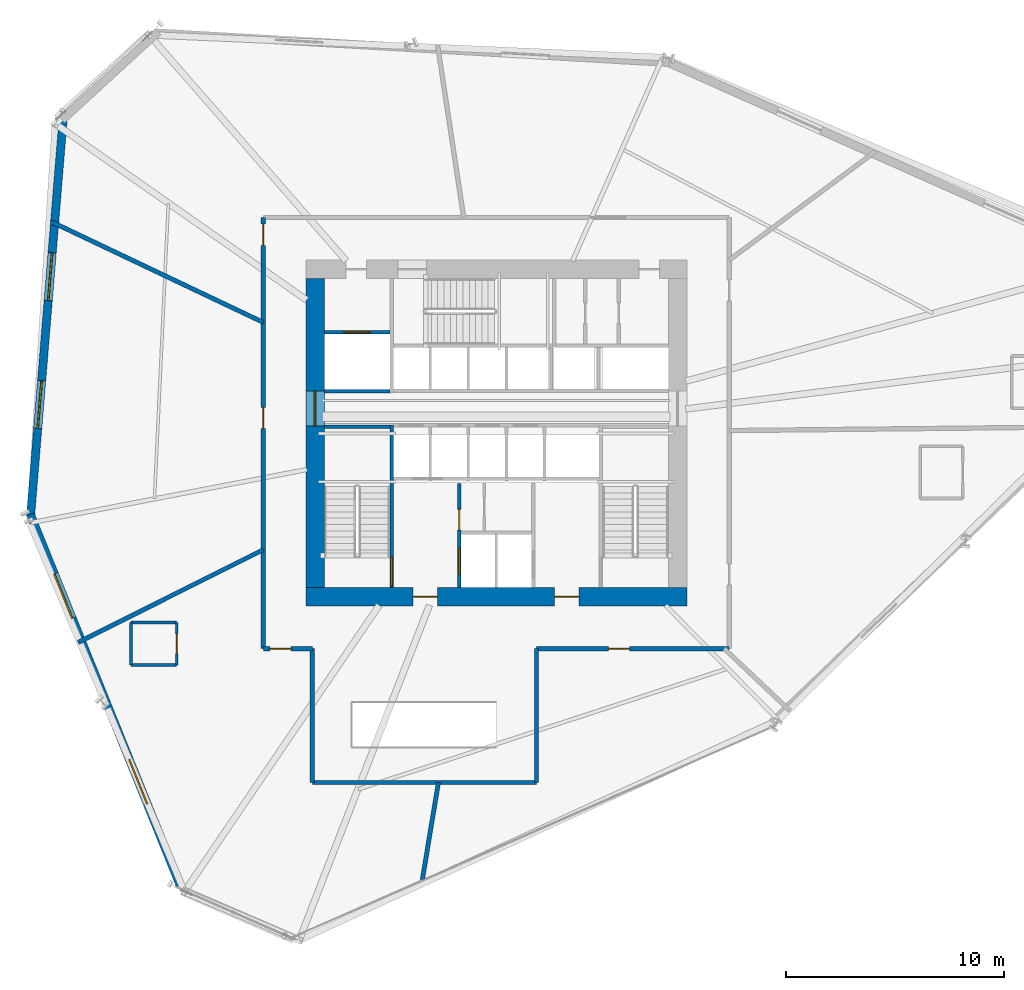
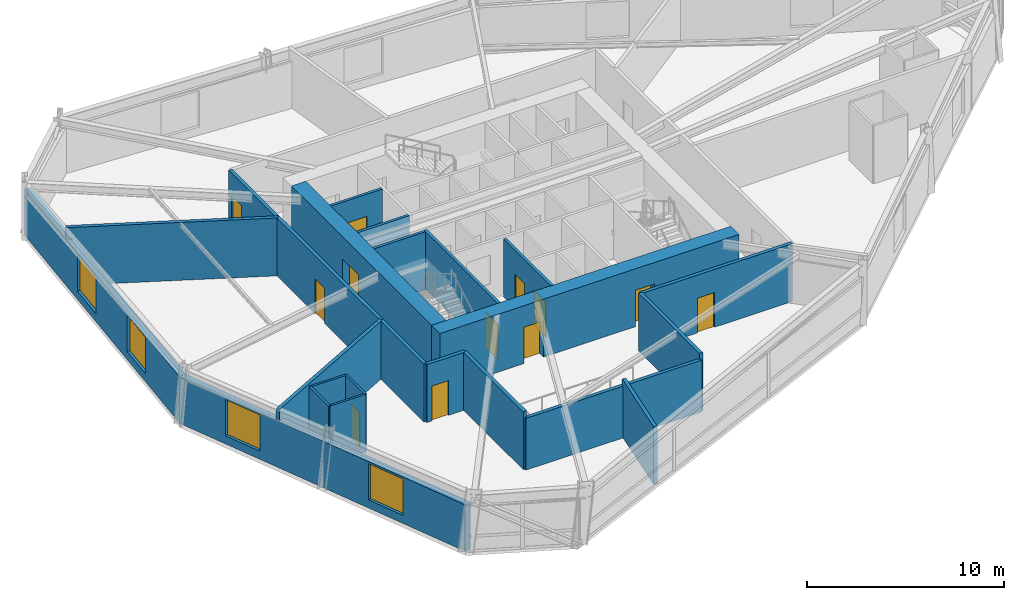
# One storey, part 13 of 17: 22 walls, 12 doors, 4 windows, 16 openings.
"""IFC4 building model written with IfcOpenShell, lengths in metres."""

from ifc_helpers import new_model, si_unit, direction, frame, frame_2d, origin, place, context, subcontext, project, spatial, rectangle, extrude, source, transform, mapped, material, layer, layer_set, type_object, type_shapes, element, fill, save


model = new_model("IFC4")

# Units and contexts
model_context = context("Model", 3, precision=1e-05, world=origin(), true_north=direction((0.0, 1.0)))
body_context = subcontext(model_context, "Body", "Model", "MODEL_VIEW")
ifc_project = project(units=[si_unit("LENGTHUNIT", "METRE"), si_unit("AREAUNIT", "SQUARE_METRE"), si_unit("VOLUMEUNIT", "CUBIC_METRE"), si_unit("PLANEANGLEUNIT", "RADIAN"), si_unit("MASSUNIT", "GRAM", prefix="KILO")], contexts=[model_context])

# Site, building, storey
site_placement = place(None, origin())
site = spatial("IfcSite", under=ifc_project, at=site_placement, CompositionType="ELEMENT")
building_placement = place(site_placement, origin())
building = spatial("IfcBuilding", under=site, at=building_placement, Name="Olszyna Solenne Hotel", CompositionType="ELEMENT")
storey_placement = place(building_placement, frame((0.0, 0.0, 75.89990234375)))
storey = spatial("IfcBuildingStorey", under=building, at=storey_placement, Name="L19", CompositionType="ELEMENT", Elevation=75.89990234375)

# Wall, openings, doors
ifc_material_1 = material(Name="Concrete C60/75", Category="concrete")
ifc_layer_1 = layer(ifc_material_1, 0.85009765625, Name="Concrete C60/75")
ifc_layer_set_1 = layer_set([ifc_layer_1], Name="Concrete C60/75")
wall_type_1 = type_object("IfcWallType", Name="WL-CR850", PredefinedType="SHEAR", material=ifc_layer_set_1)
wall_1_placement = place(storey_placement, frame((46.75, 19.074951171875, 0.0), z_axis=(0.0, 0.0, 1.0), x_axis=(-1.0, 0.0, 0.0)))
wall_1 = element("IfcWall", 1, at=wall_1_placement, inside=storey, type_object=wall_type_1, Name="Core shear wall WL-CR850 CRW-L19-S", PredefinedType="SHEAR", context=body_context, shape_type="SweptSolid", body=[
    extrude(rectangle(XDim=17.5, YDim=0.85009765625, at=frame_2d((8.75, 0.0))), origin(), (0.0, 0.0, 1.0), 3.580078125),
])
opening_1_placement = place(wall_1_placement, frame((4.949951171875, 0.0, 0.0)))
opening_1 = element("IfcOpeningElement", 2, at=opening_1_placement, cuts=wall_1, Name="Opening FL-L19-1", PredefinedType="OPENING", context=body_context, shape_type="SweptSolid", body=[
    extrude(rectangle(XDim=1.1201171875, YDim=2.25, at=frame_2d((0.56005859375, 1.125))), frame((0.0, 0.43505859375, 0.0), z_axis=(0.0, -1.0, 0.0), x_axis=(1.0, 0.0, 0.0)), (0.0, 0.0, 1.0), 0.8701171875),
])
opening_2_placement = place(wall_1_placement, frame((11.449951171875, 0.0, 0.0)))
opening_2 = element("IfcOpeningElement", 3, at=opening_2_placement, cuts=wall_1, Name="Opening FL-L19-2", PredefinedType="OPENING", context=body_context, shape_type="SweptSolid", body=[
    extrude(rectangle(XDim=1.1201171875, YDim=2.25, at=frame_2d((0.56005859375, 1.125))), frame((0.0, 0.43505859375, 0.0), z_axis=(0.0, -1.0, 0.0), x_axis=(1.0, 0.0, 0.0)), (0.0, 0.0, 1.0), 0.8701171875),
])
ifc_material_2 = material(Name="Steel S355J2", Category="steel")
door_type_1 = type_object("IfcDoorType", Name="DR-FL1", OperationType="NOTDEFINED", PredefinedType="DOOR", material=ifc_material_2)
shared_shape_1 = source(origin(), body_context, "Body", "SweptSolid", [
    extrude(rectangle(XDim=1.1201171875, YDim=2.25, at=frame_2d((0.56005859375, 1.125))), frame((0.0, 0.02490234375, 0.0), z_axis=(0.0, -1.0, 0.0), x_axis=(1.0, 0.0, 0.0)), (0.0, 0.0, 1.0), 0.050048828125),
])
type_shapes(door_type_1, [shared_shape_1])
door_1_placement = place(opening_1_placement, origin())
door_1 = element("IfcDoor", 4, at=door_1_placement, inside=storey, type_object=door_type_1, Name="Firefighting lift lobby smoke door FL-L19-1", OperationType="SINGLE_SWING_LEFT", OverallHeight=2.25, OverallWidth=1.1201171875, PredefinedType="DOOR", context=body_context, shape_type="MappedRepresentation", body=[
    mapped(shared_shape_1, transform((0.0, 0.0, 0.0), x_axis=(1.0, 0.0, 0.0), y_axis=(0.0, 1.0, 0.0), z_axis=(0.0, 0.0, 1.0), scale=1.0)),
])
fill(opening_1, door_1)
door_2_placement = place(opening_2_placement, origin())
door_2 = element("IfcDoor", 5, at=door_2_placement, inside=storey, type_object=door_type_1, Name="Firefighting lift lobby smoke door FL-L19-2", OperationType="SINGLE_SWING_RIGHT", OverallHeight=2.25, OverallWidth=1.1201171875, PredefinedType="DOOR", context=body_context, shape_type="MappedRepresentation", body=[
    mapped(shared_shape_1, transform((0.0, 0.0, 0.0), x_axis=(1.0, 0.0, 0.0), y_axis=(0.0, 1.0, 0.0), z_axis=(0.0, 0.0, 1.0), scale=1.0)),
])
fill(opening_2, door_2)

# Wall, opening, door
wall_2_placement = place(storey_placement, frame((29.675048828125, 19.5, 0.0), z_axis=(0.0, 0.0, 1.0), x_axis=(0.0, 1.0, 0.0)))
wall_2 = element("IfcWall", 6, at=wall_2_placement, inside=storey, type_object=wall_type_1, Name="Core shear wall WL-CR850 CRW-L19-W", PredefinedType="SHEAR", context=body_context, shape_type="SweptSolid", body=[
    extrude(rectangle(XDim=14.199951171875, YDim=0.85009765625, at=frame_2d((7.10009765625, 0.0))), origin(), (0.0, 0.0, 1.0), 3.580078125),
])
opening_3_placement = place(wall_2_placement, frame((7.419921875, 0.0, 0.0)))
opening_3 = element("IfcOpeningElement", 7, at=opening_3_placement, cuts=wall_2, Name="Opening LHD-L19-W", PredefinedType="OPENING", context=body_context, shape_type="SweptSolid", body=[
    extrude(rectangle(XDim=1.60009765625, YDim=2.199951171875, at=frame_2d((0.800048828125, 1.10009765625))), frame((0.0, 0.43505859375, 0.0), z_axis=(0.0, -1.0, 0.0), x_axis=(1.0, 0.0, 0.0)), (0.0, 0.0, 1.0), 0.8701171875),
])
ifc_material_3 = material(Name="Timber hardwood", Category="wood")
door_type_2 = type_object("IfcDoorType", Name="DR-CR1", OperationType="DOUBLE_DOOR_SINGLE_SWING", PredefinedType="DOOR", material=ifc_material_3)
shared_shape_2 = source(origin(), body_context, "Body", "SweptSolid", [
    extrude(rectangle(XDim=1.60009765625, YDim=2.199951171875, at=frame_2d((0.800048828125, 1.10009765625))), frame((0.0, 0.02490234375, 0.0), z_axis=(0.0, -1.0, 0.0), x_axis=(1.0, 0.0, 0.0)), (0.0, 0.0, 1.0), 0.050048828125),
])
type_shapes(door_type_2, [shared_shape_2])
door_3_placement = place(opening_3_placement, origin())
door_3 = element("IfcDoor", 8, at=door_3_placement, inside=storey, type_object=door_type_2, Name="Passenger lift lobby West fire door LHD-L19-W", OperationType="DOUBLE_DOOR_SINGLE_SWING", OverallHeight=2.199951171875, OverallWidth=1.60009765625, PredefinedType="DOOR", context=body_context, shape_type="MappedRepresentation", body=[
    mapped(shared_shape_2, transform((0.0, 0.0, 0.0), x_axis=(1.0, 0.0, 0.0), y_axis=(0.0, 1.0, 0.0), z_axis=(0.0, 0.0, 1.0), scale=1.0)),
])
fill(opening_3, door_3)

# Wall, openings, windows
ifc_material_4 = material(Name="Terracotta cladding on precast concrete C45/55", Category="masonry")
ifc_layer_2 = layer(ifc_material_4, 0.3798828125, Name="Terracotta cladding on precast concrete C45/55")
ifc_layer_set_2 = layer_set([ifc_layer_2], Name="Terracotta cladding on precast concrete C45/55")
wall_type_2 = type_object("IfcWallType", Name="WL-EX380", PredefinedType="SOLIDWALL", material=ifc_layer_set_2)
wall_3_placement = place(storey_placement, frame((23.4833984375, 5.814453125, 0.0), z_axis=(0.0, 0.0, 1.0), x_axis=(-0.374542504412, 0.927209745629, 0.0)))
wall_3 = element("IfcWall", 9, at=wall_3_placement, inside=storey, type_object=wall_type_2, Name="Exterior terracotta-precast frame wall WL-EX380 EW-L19-03", PredefinedType="SOLIDWALL", context=body_context, shape_type="SweptSolid", body=[
    extrude(rectangle(XDim=18.390869140625, YDim=0.3798828125, at=frame_2d((9.1953125, 0.0))), origin(), (0.0, 0.0, 1.0), 2.8720703125),
])
opening_4_placement = place(wall_3_placement, frame((4.049072265625, 0.0, 0.501953125)))
opening_4 = element("IfcOpeningElement", 10, at=opening_4_placement, cuts=wall_3, Name="Opening WN-L19-096", PredefinedType="OPENING", context=body_context, shape_type="SweptSolid", body=[
    extrude(rectangle(XDim=2.199951171875, YDim=2.25, at=frame_2d((1.10009765625, 1.125))), frame((0.0, 0.199951171875, 0.0), z_axis=(0.0, -1.0, 0.0), x_axis=(1.0, 0.0, 0.0)), (0.0, 0.0, 1.0), 0.39990234375),
])
opening_5_placement = place(wall_3_placement, frame((13.240966796875, 0.0, 0.501953125)))
opening_5 = element("IfcOpeningElement", 11, at=opening_5_placement, cuts=wall_3, Name="Opening WN-L19-097", PredefinedType="OPENING", context=body_context, shape_type="SweptSolid", body=[
    extrude(rectangle(XDim=2.199951171875, YDim=2.25, at=frame_2d((1.10009765625, 1.125))), frame((0.0, 0.199951171875, 0.0), z_axis=(0.0, -1.0, 0.0), x_axis=(1.0, 0.0, 0.0)), (0.0, 0.0, 1.0), 0.39990234375),
])
ifc_material_5 = material(Name="Low-E triple glazing", Category="glass")
window_type = type_object("IfcWindowType", Name="WN-HT2", PartitioningType="SINGLE_PANEL", PredefinedType="WINDOW", material=ifc_material_5)
shared_shape_3 = source(origin(), body_context, "Body", "SweptSolid", [
    extrude(rectangle(XDim=2.199951171875, YDim=2.25, at=frame_2d((1.10009765625, 1.125))), frame((0.0, 0.030029296875, 0.0), z_axis=(0.0, -1.0, 0.0), x_axis=(1.0, 0.0, 0.0)), (0.0, 0.0, 1.0), 0.06005859375),
])
type_shapes(window_type, [shared_shape_3])
window_1_placement = place(opening_4_placement, origin())
window_1 = element("IfcWindow", 12, at=window_1_placement, inside=storey, type_object=window_type, Name="Exterior facade window WN-HT2 WN-L19-096", OverallHeight=2.25, OverallWidth=2.199951171875, PartitioningType="SINGLE_PANEL", PredefinedType="WINDOW", context=body_context, shape_type="MappedRepresentation", body=[
    mapped(shared_shape_3, transform((0.0, 0.0, 0.0), x_axis=(1.0, 0.0, 0.0), y_axis=(0.0, 1.0, 0.0), z_axis=(0.0, 0.0, 1.0), scale=1.0)),
])
fill(opening_4, window_1)
window_2_placement = place(opening_5_placement, origin())
window_2 = element("IfcWindow", 13, at=window_2_placement, inside=storey, type_object=window_type, Name="Exterior facade window WN-HT2 WN-L19-097", OverallHeight=2.25, OverallWidth=2.199951171875, PartitioningType="SINGLE_PANEL", PredefinedType="WINDOW", context=body_context, shape_type="MappedRepresentation", body=[
    mapped(shared_shape_3, transform((0.0, 0.0, 0.0), x_axis=(1.0, 0.0, 0.0), y_axis=(0.0, 1.0, 0.0), z_axis=(0.0, 0.0, 1.0), scale=1.0)),
])
fill(opening_5, window_2)

wall_4_placement = place(storey_placement, frame((16.6083984375, 22.780029296875, 0.0), z_axis=(0.0, 0.0, 1.0), x_axis=(0.081813862086, 0.996647626782, 0.0)))
wall_4 = element("IfcWall", 14, at=wall_4_placement, inside=storey, type_object=wall_type_2, Name="Exterior terracotta-precast frame wall WL-EX380 EW-L19-04", PredefinedType="SOLIDWALL", context=body_context, shape_type="SweptSolid", body=[
    extrude(rectangle(XDim=18.39111328125, YDim=0.3798828125, at=frame_2d((9.195556640625, 0.0))), origin(), (0.0, 0.0, 1.0), 2.8720703125),
])
opening_6_placement = place(wall_4_placement, frame((4.049072265625, 0.0, 0.501953125)))
opening_6 = element("IfcOpeningElement", 15, at=opening_6_placement, cuts=wall_4, Name="Opening WN-L19-098", PredefinedType="OPENING", context=body_context, shape_type="SweptSolid", body=[
    extrude(rectangle(XDim=2.199951171875, YDim=2.25, at=frame_2d((1.10009765625, 1.125))), frame((0.0, 0.199951171875, 0.0), z_axis=(0.0, -1.0, 0.0), x_axis=(1.0, 0.0, 0.0)), (0.0, 0.0, 1.0), 0.39990234375),
])
opening_7_placement = place(wall_4_placement, frame((9.94091796875, 0.0, 0.501953125)))
opening_7 = element("IfcOpeningElement", 16, at=opening_7_placement, cuts=wall_4, Name="Opening WN-L19-099", PredefinedType="OPENING", context=body_context, shape_type="SweptSolid", body=[
    extrude(rectangle(XDim=2.199951171875, YDim=2.25, at=frame_2d((1.10009765625, 1.125))), frame((0.0, 0.199951171875, 0.0), z_axis=(0.0, -1.0, 0.0), x_axis=(1.0, 0.0, 0.0)), (0.0, 0.0, 1.0), 0.39990234375),
])
window_3_placement = place(opening_6_placement, origin())
window_3 = element("IfcWindow", 17, at=window_3_placement, inside=storey, type_object=window_type, Name="Exterior facade window WN-HT2 WN-L19-098", OverallHeight=2.25, OverallWidth=2.199951171875, PartitioningType="SINGLE_PANEL", PredefinedType="WINDOW", context=body_context, shape_type="MappedRepresentation", body=[
    mapped(shared_shape_3, transform((0.0, 0.0, 0.0), x_axis=(1.0, 0.0, 0.0), y_axis=(0.0, 1.0, 0.0), z_axis=(0.0, 0.0, 1.0), scale=1.0)),
])
fill(opening_6, window_3)
window_4_placement = place(opening_7_placement, origin())
window_4 = element("IfcWindow", 18, at=window_4_placement, inside=storey, type_object=window_type, Name="Exterior facade window WN-HT2 WN-L19-099", OverallHeight=2.25, OverallWidth=2.199951171875, PartitioningType="SINGLE_PANEL", PredefinedType="WINDOW", context=body_context, shape_type="MappedRepresentation", body=[
    mapped(shared_shape_3, transform((0.0, 0.0, 0.0), x_axis=(1.0, 0.0, 0.0), y_axis=(0.0, 1.0, 0.0), z_axis=(0.0, 0.0, 1.0), scale=1.0)),
])
fill(opening_7, window_4)

# Wall, opening, door
ifc_material_6 = material(Name="Acoustic gypsum partition", Category="gypsum")
ifc_layer_3 = layer(ifc_material_6, 0.125, Name="Acoustic gypsum partition")
ifc_layer_set_3 = layer_set([ifc_layer_3], Name="Acoustic gypsum partition")
wall_type_3 = type_object("IfcWallType", Name="WL-PT125", PredefinedType="PARTITIONING", material=ifc_layer_set_3)
wall_5_placement = place(storey_placement, frame((23.320068359375, 15.944091796875, 0.0), z_axis=(0.0, 0.0, 1.0), x_axis=(0.0, 1.0, 0.0)))
wall_5 = element("IfcWall", 19, at=wall_5_placement, inside=storey, type_object=wall_type_3, Name="Interior acoustic partition WL-PT125 PW-L19-1087", PredefinedType="PARTITIONING", context=body_context, shape_type="SweptSolid", body=[
    extrude(rectangle(XDim=1.949951171875, YDim=0.125, at=frame_2d((0.97509765625, 0.0))), origin(), (0.0, 0.0, 1.0), 3.580078125),
])
opening_8_placement = place(wall_5_placement, frame((0.52490234375, 0.0, 0.0)))
opening_8 = element("IfcOpeningElement", 20, at=opening_8_placement, cuts=wall_5, Name="Opening DR-L19-0247", PredefinedType="OPENING", context=body_context, shape_type="SweptSolid", body=[
    extrude(rectangle(XDim=0.89990234375, YDim=2.10009765625, at=frame_2d((0.449951171875, 1.050048828125))), frame((0.0, 0.072509765625, 0.0), z_axis=(0.0, -1.0, 0.0), x_axis=(1.0, 0.0, 0.0)), (0.0, 0.0, 1.0), 0.14501953125),
])
door_type_3 = type_object("IfcDoorType", Name="DR-WC1", OperationType="NOTDEFINED", PredefinedType="DOOR", material=ifc_material_3)
shared_shape_4 = source(origin(), body_context, "Body", "SweptSolid", [
    extrude(rectangle(XDim=0.89990234375, YDim=2.10009765625, at=frame_2d((0.449951171875, 1.050048828125))), frame((0.0, 0.02490234375, 0.0), z_axis=(0.0, -1.0, 0.0), x_axis=(1.0, 0.0, 0.0)), (0.0, 0.0, 1.0), 0.050048828125),
])
type_shapes(door_type_3, [shared_shape_4])
door_4_placement = place(opening_8_placement, origin())
door_4 = element("IfcDoor", 21, at=door_4_placement, inside=storey, type_object=door_type_3, Name="En-Suite Bathroom Door DR-L19-0247", OperationType="SINGLE_SWING_RIGHT", OverallHeight=2.10009765625, OverallWidth=0.89990234375, PredefinedType="DOOR", context=body_context, shape_type="MappedRepresentation", body=[
    mapped(shared_shape_4, transform((0.0, 0.0, 0.0), x_axis=(1.0, 0.0, 0.0), y_axis=(0.0, 1.0, 0.0), z_axis=(0.0, 0.0, 1.0), scale=1.0)),
])
fill(opening_8, door_4)

# Walls
wall_6_placement = place(storey_placement, frame((23.320068359375, 17.89404296875, 0.0), z_axis=(0.0, 0.0, 1.0), x_axis=(-1.0, 0.0, 0.0)))
element("IfcWall", 22, at=wall_6_placement, inside=storey, type_object=wall_type_3, Name="Interior acoustic partition WL-PT125 PW-L19-1088", PredefinedType="PARTITIONING", context=body_context, shape_type="SweptSolid", body=[
    extrude(rectangle(XDim=2.10009765625, YDim=0.125, at=frame_2d((1.050048828125, 0.0))), origin(), (0.0, 0.0, 1.0), 3.580078125),
])
wall_7_placement = place(storey_placement, frame((21.219970703125, 17.89404296875, 0.0), z_axis=(0.0, 0.0, 1.0), x_axis=(0.0, -1.0, 0.0)))
element("IfcWall", 23, at=wall_7_placement, inside=storey, type_object=wall_type_3, Name="Interior acoustic partition WL-PT125 PW-L19-1089", PredefinedType="PARTITIONING", context=body_context, shape_type="SweptSolid", body=[
    extrude(rectangle(XDim=1.949951171875, YDim=0.125, at=frame_2d((0.97509765625, 0.0))), origin(), (0.0, 0.0, 1.0), 3.580078125),
])
wall_8_placement = place(storey_placement, frame((21.219970703125, 15.944091796875, 0.0), z_axis=(0.0, 0.0, 1.0), x_axis=(1.0, 0.0, 0.0)))
element("IfcWall", 24, at=wall_8_placement, inside=storey, type_object=wall_type_3, Name="Interior acoustic partition WL-PT125 PW-L19-1090", PredefinedType="PARTITIONING", context=body_context, shape_type="SweptSolid", body=[
    extrude(rectangle(XDim=2.10009765625, YDim=0.125, at=frame_2d((1.050048828125, 0.0))), origin(), (0.0, 0.0, 1.0), 3.580078125),
])

# Wall, opening, door
ifc_layer_4 = layer(ifc_material_6, 0.159912109375, Name="Acoustic gypsum partition")
ifc_layer_set_4 = layer_set([ifc_layer_4], Name="Acoustic gypsum partition")
wall_type_4 = type_object("IfcWallType", Name="WL-PT160", PredefinedType="PARTITIONING", material=ifc_layer_set_4)
wall_9_placement = place(storey_placement, frame((33.199951171875, 19.5, 0.0), z_axis=(0.0, 0.0, 1.0), x_axis=(0.0, 1.0, 0.0)))
wall_9 = element("IfcWall", 25, at=wall_9_placement, inside=storey, type_object=wall_type_4, Name="Core shaft compartment wall CW-L19-ST1E", PredefinedType="PARTITIONING", context=body_context, shape_type="SweptSolid", body=[
    extrude(rectangle(XDim=7.4599609375, YDim=0.159912109375, at=frame_2d((3.72998046875, 0.0))), origin(), (0.0, 0.0, 1.0), 3.580078125),
])
opening_9_placement = place(wall_9_placement, frame((0.080078125, 0.0, 0.0)))
opening_9 = element("IfcOpeningElement", 26, at=opening_9_placement, cuts=wall_9, Name="Opening STD-L19-01", PredefinedType="OPENING", context=body_context, shape_type="SweptSolid", body=[
    extrude(rectangle(XDim=1.320068359375, YDim=2.199951171875, at=frame_2d((0.66015625, 1.10009765625))), frame((0.0, 0.08984375, 0.0), z_axis=(0.0, -1.0, 0.0), x_axis=(1.0, 0.0, 0.0)), (0.0, 0.0, 1.0), 0.179931640625),
])
door_type_4 = type_object("IfcDoorType", Name="DR-ST1", OperationType="NOTDEFINED", PredefinedType="DOOR", material=ifc_material_2)
shared_shape_5 = source(origin(), body_context, "Body", "SweptSolid", [
    extrude(rectangle(XDim=1.320068359375, YDim=2.199951171875, at=frame_2d((0.66015625, 1.10009765625))), frame((0.0, 0.02490234375, 0.0), z_axis=(0.0, -1.0, 0.0), x_axis=(1.0, 0.0, 0.0)), (0.0, 0.0, 1.0), 0.050048828125),
])
type_shapes(door_type_4, [shared_shape_5])
door_5_placement = place(opening_9_placement, origin())
door_5 = element("IfcDoor", 27, at=door_5_placement, inside=storey, type_object=door_type_4, Name="Pressurised exit stair ST1 fire door STD-L19-01", OperationType="SINGLE_SWING_LEFT", OverallHeight=2.199951171875, OverallWidth=1.320068359375, PredefinedType="DOOR", context=body_context, shape_type="MappedRepresentation", body=[
    mapped(shared_shape_5, transform((0.0, 0.0, 0.0), x_axis=(1.0, 0.0, 0.0), y_axis=(0.0, 1.0, 0.0), z_axis=(0.0, 0.0, 1.0), scale=1.0)),
])
fill(opening_9, door_5)

# Wall
wall_10_placement = place(storey_placement, frame((30.10009765625, 26.8798828125, 0.0), z_axis=(0.0, 0.0, 1.0), x_axis=(1.0, 0.0, 0.0)))
element("IfcWall", 28, at=wall_10_placement, inside=storey, type_object=wall_type_4, Name="Core shaft compartment wall CW-L19-ST1N", PredefinedType="PARTITIONING", context=body_context, shape_type="SweptSolid", body=[
    extrude(rectangle(XDim=3.02001953125, YDim=0.159912109375, at=frame_2d((1.510009765625, 0.0))), origin(), (0.0, 0.0, 1.0), 3.580078125),
])

# Wall, openings, doors
wall_11_placement = place(storey_placement, frame((36.300048828125, 19.5, 0.0), z_axis=(0.0, 0.0, 1.0), x_axis=(0.0, 1.0, 0.0)))
wall_11 = element("IfcWall", 29, at=wall_11_placement, inside=storey, type_object=wall_type_4, Name="Core shaft compartment wall CW-L19-FF1W", PredefinedType="PARTITIONING", context=body_context, shape_type="SweptSolid", body=[
    extrude(rectangle(XDim=4.780029296875, YDim=0.159912109375, at=frame_2d((2.39013671875, 0.0))), origin(), (0.0, 0.0, 1.0), 3.580078125),
])
opening_10_placement = place(wall_11_placement, frame((0.60009765625, 0.0, 0.0)))
opening_10 = element("IfcOpeningElement", 30, at=opening_10_placement, cuts=wall_11, Name="Opening LD-L19-FF1", PredefinedType="OPENING", context=body_context, shape_type="SweptSolid", body=[
    extrude(rectangle(XDim=1.199951171875, YDim=2.199951171875, at=frame_2d((0.60009765625, 1.10009765625))), frame((0.0, 0.08984375, 0.0), z_axis=(0.0, -1.0, 0.0), x_axis=(1.0, 0.0, 0.0)), (0.0, 0.0, 1.0), 0.179931640625),
])
opening_11_placement = place(wall_11_placement, frame((2.64990234375, 0.0, 0.0)))
opening_11 = element("IfcOpeningElement", 31, at=opening_11_placement, cuts=wall_11, Name="Opening SVD-L19-SMK", PredefinedType="OPENING", context=body_context, shape_type="SweptSolid", body=[
    extrude(rectangle(XDim=0.949951171875, YDim=2.10009765625, at=frame_2d((0.47509765625, 1.050048828125))), frame((0.0, 0.08984375, 0.0), z_axis=(0.0, -1.0, 0.0), x_axis=(1.0, 0.0, 0.0)), (0.0, 0.0, 1.0), 0.179931640625),
])
door_type_5 = type_object("IfcDoorType", Name="DR-SV1", OperationType="NOTDEFINED", PredefinedType="DOOR", material=ifc_material_2)
shared_shape_6 = source(origin(), body_context, "Body", "SweptSolid", [
    extrude(rectangle(XDim=0.949951171875, YDim=2.10009765625, at=frame_2d((0.47509765625, 1.050048828125))), frame((0.0, 0.02490234375, 0.0), z_axis=(0.0, -1.0, 0.0), x_axis=(1.0, 0.0, 0.0)), (0.0, 0.0, 1.0), 0.050048828125),
])
type_shapes(door_type_5, [shared_shape_6])
door_6_placement = place(opening_11_placement, origin())
door_6 = element("IfcDoor", 32, at=door_6_placement, inside=storey, type_object=door_type_5, Name="Valet and core service room door SVD-L19-SMK", OperationType="SINGLE_SWING_LEFT", OverallHeight=2.10009765625, OverallWidth=0.949951171875, PredefinedType="DOOR", context=body_context, shape_type="MappedRepresentation", body=[
    mapped(shared_shape_6, transform((0.0, 0.0, 0.0), x_axis=(1.0, 0.0, 0.0), y_axis=(0.0, 1.0, 0.0), z_axis=(0.0, 0.0, 1.0), scale=1.0)),
])
fill(opening_11, door_6)
door_type_6 = type_object("IfcDoorType", Name="LD-FF1", OperationType="DOUBLE_DOOR_SLIDING", PredefinedType="DOOR", material=ifc_material_2)
shared_shape_7 = source(origin(), body_context, "Body", "SweptSolid", [
    extrude(rectangle(XDim=1.199951171875, YDim=2.199951171875, at=frame_2d((0.60009765625, 1.10009765625))), frame((0.0, 0.02490234375, 0.0), z_axis=(0.0, -1.0, 0.0), x_axis=(1.0, 0.0, 0.0)), (0.0, 0.0, 1.0), 0.050048828125),
])
type_shapes(door_type_6, [shared_shape_7])
door_7_placement = place(opening_10_placement, origin())
door_7 = element("IfcDoor", 33, at=door_7_placement, inside=storey, type_object=door_type_6, Name="Firefighters lift FF1 sliding landing door LD-L19-FF1", OperationType="DOUBLE_DOOR_SLIDING", OverallHeight=2.199951171875, OverallWidth=1.199951171875, PredefinedType="DOOR", context=body_context, shape_type="MappedRepresentation", body=[
    mapped(shared_shape_7, transform((0.0, 0.0, 0.0), x_axis=(1.0, 0.0, 0.0), y_axis=(0.0, 1.0, 0.0), z_axis=(0.0, 0.0, 1.0), scale=1.0)),
])
fill(opening_10, door_7)

# Wall
wall_12_placement = place(storey_placement, frame((30.10009765625, 28.52001953125, 0.0), z_axis=(0.0, 0.0, 1.0), x_axis=(1.0, 0.0, 0.0)))
element("IfcWall", 34, at=wall_12_placement, inside=storey, type_object=wall_type_4, Name="Core shaft compartment wall CW-L19-SV1S", PredefinedType="PARTITIONING", context=body_context, shape_type="SweptSolid", body=[
    extrude(rectangle(XDim=3.02001953125, YDim=0.159912109375, at=frame_2d((1.510009765625, 0.0))), origin(), (0.0, 0.0, 1.0), 3.580078125),
])

# Wall, opening, door
wall_13_placement = place(storey_placement, frame((30.10009765625, 31.239990234375, 0.0), z_axis=(0.0, 0.0, 1.0), x_axis=(1.0, 0.0, 0.0)))
wall_13 = element("IfcWall", 35, at=wall_13_placement, inside=storey, type_object=wall_type_4, Name="Core shaft compartment wall CW-L19-SV1N", PredefinedType="PARTITIONING", context=body_context, shape_type="SweptSolid", body=[
    extrude(rectangle(XDim=3.02001953125, YDim=0.159912109375, at=frame_2d((1.510009765625, 0.0))), origin(), (0.0, 0.0, 1.0), 3.580078125),
])
opening_12_placement = place(wall_13_placement, frame((0.909912109375, 0.0, 0.0)))
opening_12 = element("IfcOpeningElement", 36, at=opening_12_placement, cuts=wall_13, Name="Opening LD-L19-SV1", PredefinedType="OPENING", context=body_context, shape_type="SweptSolid", body=[
    extrude(rectangle(XDim=1.199951171875, YDim=2.199951171875, at=frame_2d((0.60009765625, 1.10009765625))), frame((0.0, 0.08984375, 0.0), z_axis=(0.0, -1.0, 0.0), x_axis=(1.0, 0.0, 0.0)), (0.0, 0.0, 1.0), 0.179931640625),
])
door_8_placement = place(opening_12_placement, origin())
door_8 = element("IfcDoor", 37, at=door_8_placement, inside=storey, type_object=door_type_6, Name="Service lift SV1 sliding landing door LD-L19-SV1", OperationType="DOUBLE_DOOR_SLIDING", OverallHeight=2.199951171875, OverallWidth=1.199951171875, PredefinedType="DOOR", context=body_context, shape_type="MappedRepresentation", body=[
    mapped(shared_shape_7, transform((0.0, 0.0, 0.0), x_axis=(1.0, 0.0, 0.0), y_axis=(0.0, 1.0, 0.0), z_axis=(0.0, 0.0, 1.0), scale=1.0)),
])
fill(opening_12, door_8)

# Walls
ifc_layer_5 = layer(ifc_material_6, 0.199951171875, Name="Acoustic gypsum partition")
ifc_layer_set_5 = layer_set([ifc_layer_5], Name="Acoustic gypsum partition")
wall_type_5 = type_object("IfcWallType", Name="WL-PT200", PredefinedType="PARTITIONING", material=ifc_layer_set_5)
wall_14_placement = place(storey_placement, frame((27.300048828125, 31.6806640625, 0.0), z_axis=(0.0, 0.0, 1.0), x_axis=(-0.903334087768, 0.428937671318, 0.0)))
element("IfcWall", 38, at=wall_14_placement, inside=storey, type_object=wall_type_5, Name="Interior acoustic partition WL-PT200 PW-L19-1082", PredefinedType="PARTITIONING", context=body_context, shape_type="SweptSolid", body=[
    extrude(rectangle(XDim=10.7841796875, YDim=0.199951171875, at=frame_2d((5.39208984375, 0.0))), origin(), (0.0, 0.0, 1.0), 3.580078125),
])
wall_15_placement = place(storey_placement, frame((27.300048828125, 21.24169921875, 0.0), z_axis=(0.0, 0.0, 1.0), x_axis=(-0.894159980133, -0.447747618562, 0.0)))
element("IfcWall", 39, at=wall_15_placement, inside=storey, type_object=wall_type_5, Name="Interior acoustic partition WL-PT200 PW-L19-1083", PredefinedType="PARTITIONING", context=body_context, shape_type="SweptSolid", body=[
    extrude(rectangle(XDim=9.5078125, YDim=0.199951171875, at=frame_2d((4.75390625, 0.0))), origin(), (0.0, 0.0, 1.0), 3.580078125),
])
wall_16_placement = place(storey_placement, frame((35.343017578125, 10.550048828125, 0.0), z_axis=(0.0, 0.0, 1.0), x_axis=(-0.163323758673, -0.986572526403, 0.0)))
element("IfcWall", 40, at=wall_16_placement, inside=storey, type_object=wall_type_5, Name="Interior acoustic partition WL-PT200 PW-L19-1084", PredefinedType="PARTITIONING", context=body_context, shape_type="SweptSolid", body=[
    extrude(rectangle(XDim=4.529296875, YDim=0.199951171875, at=frame_2d((2.2646484375, 0.0))), origin(), (0.0, 0.0, 1.0), 3.580078125),
])

# Wall, opening, door
wall_17_placement = place(storey_placement, frame((27.300048828125, 16.699951171875, 0.0), z_axis=(0.0, 0.0, 1.0), x_axis=(1.0, 0.0, 0.0)))
wall_17 = element("IfcWall", 41, at=wall_17_placement, inside=storey, type_object=wall_type_5, Name="Interior acoustic partition WL-PT200 PW-L19-1099", PredefinedType="PARTITIONING", context=body_context, shape_type="SweptSolid", body=[
    extrude(rectangle(XDim=2.25, YDim=0.199951171875, at=frame_2d((1.125, 0.0))), origin(), (0.0, 0.0, 1.0), 3.580078125),
])
opening_13_placement = place(wall_17_placement, frame((0.300048828125, 0.0, 0.0)))
opening_13 = element("IfcOpeningElement", 42, at=opening_13_placement, cuts=wall_17, Name="Opening DR-L19-0250", PredefinedType="OPENING", context=body_context, shape_type="SweptSolid", body=[
    extrude(rectangle(XDim=0.97998046875, YDim=2.14990234375, at=frame_2d((0.489990234375, 1.074951171875))), frame((0.0, 0.10986328125, 0.0), z_axis=(0.0, -1.0, 0.0), x_axis=(1.0, 0.0, 0.0)), (0.0, 0.0, 1.0), 0.219970703125),
])
door_type_7 = type_object("IfcDoorType", Name="DR-RM1", OperationType="NOTDEFINED", PredefinedType="DOOR", material=ifc_material_3)
shared_shape_8 = source(origin(), body_context, "Body", "SweptSolid", [
    extrude(rectangle(XDim=0.97998046875, YDim=2.14990234375, at=frame_2d((0.489990234375, 1.074951171875))), frame((0.0, 0.02490234375, 0.0), z_axis=(0.0, -1.0, 0.0), x_axis=(1.0, 0.0, 0.0)), (0.0, 0.0, 1.0), 0.050048828125),
])
type_shapes(door_type_7, [shared_shape_8])
door_9_placement = place(opening_13_placement, origin())
door_9 = element("IfcDoor", 43, at=door_9_placement, inside=storey, type_object=door_type_7, Name="Horizon Suite Entrance Door DR-L19-0250", OperationType="SINGLE_SWING_LEFT", OverallHeight=2.14990234375, OverallWidth=0.97998046875, PredefinedType="DOOR", context=body_context, shape_type="MappedRepresentation", body=[
    mapped(shared_shape_8, transform((0.0, 0.0, 0.0), x_axis=(1.0, 0.0, 0.0), y_axis=(0.0, 1.0, 0.0), z_axis=(0.0, 0.0, 1.0), scale=1.0)),
])
fill(opening_13, door_9)

wall_18_placement = place(storey_placement, frame((39.85009765625, 16.699951171875, 0.0), z_axis=(0.0, 0.0, 1.0), x_axis=(1.0, 0.0, 0.0)))
wall_18 = element("IfcWall", 44, at=wall_18_placement, inside=storey, type_object=wall_type_5, Name="Interior acoustic partition WL-PT200 PW-L19-1100", PredefinedType="PARTITIONING", context=body_context, shape_type="SweptSolid", body=[
    extrude(rectangle(XDim=8.849853515625, YDim=0.199951171875, at=frame_2d((4.4248046875, 0.0))), origin(), (0.0, 0.0, 1.0), 3.580078125),
])
opening_14_placement = place(wall_18_placement, frame((3.2939453125, 0.0, 0.0)))
opening_14 = element("IfcOpeningElement", 45, at=opening_14_placement, cuts=wall_18, Name="Opening DR-L19-0251", PredefinedType="OPENING", context=body_context, shape_type="SweptSolid", body=[
    extrude(rectangle(XDim=0.97998046875, YDim=2.14990234375, at=frame_2d((0.489990234375, 1.074951171875))), frame((0.0, 0.10986328125, 0.0), z_axis=(0.0, -1.0, 0.0), x_axis=(1.0, 0.0, 0.0)), (0.0, 0.0, 1.0), 0.219970703125),
])
door_10_placement = place(opening_14_placement, origin())
door_10 = element("IfcDoor", 46, at=door_10_placement, inside=storey, type_object=door_type_7, Name="Executive Meeting Salon Entrance Door DR-L19-0251", OperationType="SINGLE_SWING_RIGHT", OverallHeight=2.14990234375, OverallWidth=0.97998046875, PredefinedType="DOOR", context=body_context, shape_type="MappedRepresentation", body=[
    mapped(shared_shape_8, transform((0.0, 0.0, 0.0), x_axis=(1.0, 0.0, 0.0), y_axis=(0.0, 1.0, 0.0), z_axis=(0.0, 0.0, 1.0), scale=1.0)),
])
fill(opening_14, door_10)

# Wall, openings, doors
wall_19_placement = place(storey_placement, frame((27.300048828125, 16.699951171875, 0.0), z_axis=(0.0, 0.0, 1.0), x_axis=(0.0, 1.0, 0.0)))
wall_19 = element("IfcWall", 47, at=wall_19_placement, inside=storey, type_object=wall_type_5, Name="Interior acoustic partition WL-PT200 PW-L19-1101", PredefinedType="PARTITIONING", context=body_context, shape_type="SweptSolid", body=[
    extrude(rectangle(XDim=19.800048828125, YDim=0.199951171875, at=frame_2d((9.89990234375, 0.0))), origin(), (0.0, 0.0, 1.0), 3.580078125),
])
opening_15_placement = place(wall_19_placement, frame((18.52001953125, 0.0, 0.0)))
opening_15 = element("IfcOpeningElement", 48, at=opening_15_placement, cuts=wall_19, Name="Opening DR-L19-0252", PredefinedType="OPENING", context=body_context, shape_type="SweptSolid", body=[
    extrude(rectangle(XDim=0.97998046875, YDim=2.14990234375, at=frame_2d((0.489990234375, 1.074951171875))), frame((0.0, 0.10986328125, 0.0), z_axis=(0.0, -1.0, 0.0), x_axis=(1.0, 0.0, 0.0)), (0.0, 0.0, 1.0), 0.219970703125),
])
opening_16_placement = place(wall_19_placement, frame((10.097900390625, 0.0, 0.0)))
opening_16 = element("IfcOpeningElement", 49, at=opening_16_placement, cuts=wall_19, Name="Opening DR-L19-0253", PredefinedType="OPENING", context=body_context, shape_type="SweptSolid", body=[
    extrude(rectangle(XDim=0.97998046875, YDim=2.14990234375, at=frame_2d((0.489990234375, 1.074951171875))), frame((0.0, 0.10986328125, 0.0), z_axis=(0.0, -1.0, 0.0), x_axis=(1.0, 0.0, 0.0)), (0.0, 0.0, 1.0), 0.219970703125),
])
door_11_placement = place(opening_15_placement, origin())
door_11 = element("IfcDoor", 50, at=door_11_placement, inside=storey, type_object=door_type_7, Name="Sky Lobby Lounge Entrance Door DR-L19-0252", OperationType="SINGLE_SWING_LEFT", OverallHeight=2.14990234375, OverallWidth=0.97998046875, PredefinedType="DOOR", context=body_context, shape_type="MappedRepresentation", body=[
    mapped(shared_shape_8, transform((0.0, 0.0, 0.0), x_axis=(1.0, 0.0, 0.0), y_axis=(0.0, 1.0, 0.0), z_axis=(0.0, 0.0, 1.0), scale=1.0)),
])
fill(opening_15, door_11)
door_12_placement = place(opening_16_placement, origin())
door_12 = element("IfcDoor", 51, at=door_12_placement, inside=storey, type_object=door_type_7, Name="Botanical Tea Pavilion Entrance Door DR-L19-0253", OperationType="SINGLE_SWING_RIGHT", OverallHeight=2.14990234375, OverallWidth=0.97998046875, PredefinedType="DOOR", context=body_context, shape_type="MappedRepresentation", body=[
    mapped(shared_shape_8, transform((0.0, 0.0, 0.0), x_axis=(1.0, 0.0, 0.0), y_axis=(0.0, 1.0, 0.0), z_axis=(0.0, 0.0, 1.0), scale=1.0)),
])
fill(opening_16, door_12)

# Walls
for number, where, z_axis, x_axis, name in (
    (52, (29.550048828125, 10.550048828125, 0.0), (0.0, 0.0, 1.0), (0.0, 1.0, 0.0), "Interior acoustic partition WL-PT200 PW-L19-1104"),
    (53, (39.85009765625, 10.550048828125, 0.0), (0.0, 0.0, 1.0), (0.0, 1.0, 0.0), "Interior acoustic partition WL-PT200 PW-L19-1105"),
):
    element("IfcWall", number, at=place(storey_placement, frame(where, z_axis=z_axis, x_axis=x_axis)), inside=storey, type_object=wall_type_5, Name=name, PredefinedType="PARTITIONING", context=body_context, shape_type="SweptSolid", body=[
        extrude(rectangle(XDim=6.14990234375, YDim=0.199951171875, at=frame_2d((3.074951171875, 0.0))), origin(), (0.0, 0.0, 1.0), 3.580078125),
    ])
wall_20_placement = place(storey_placement, frame((29.550048828125, 10.550048828125, 0.0), z_axis=(0.0, 0.0, 1.0), x_axis=(1.0, 0.0, 0.0)))
element("IfcWall", 54, at=wall_20_placement, inside=storey, type_object=wall_type_5, Name="Interior acoustic partition WL-PT200 PW-L19-1106", PredefinedType="PARTITIONING", context=body_context, shape_type="SweptSolid", body=[
    extrude(rectangle(XDim=10.300048828125, YDim=0.199951171875, at=frame_2d((5.14990234375, 0.0))), origin(), (0.0, 0.0, 1.0), 3.205078125),
])

save(model, "model.ifc")
